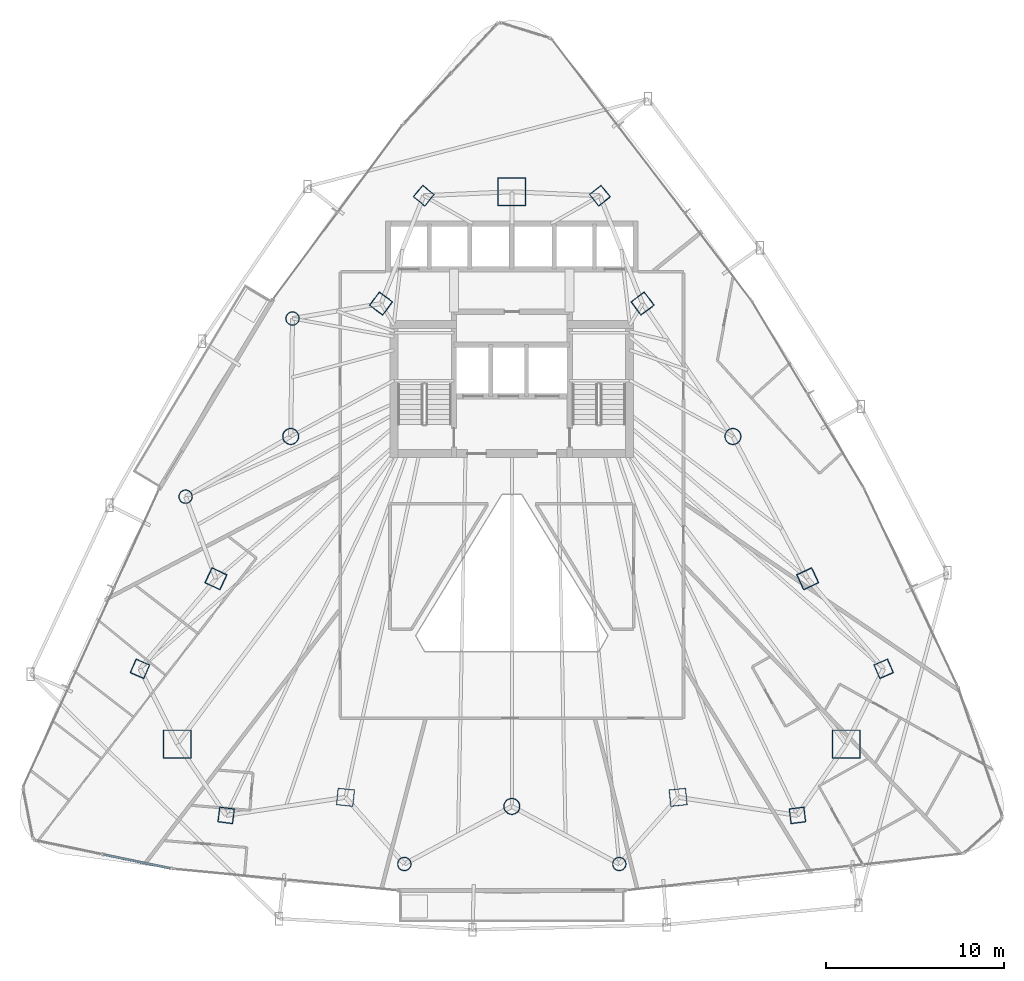
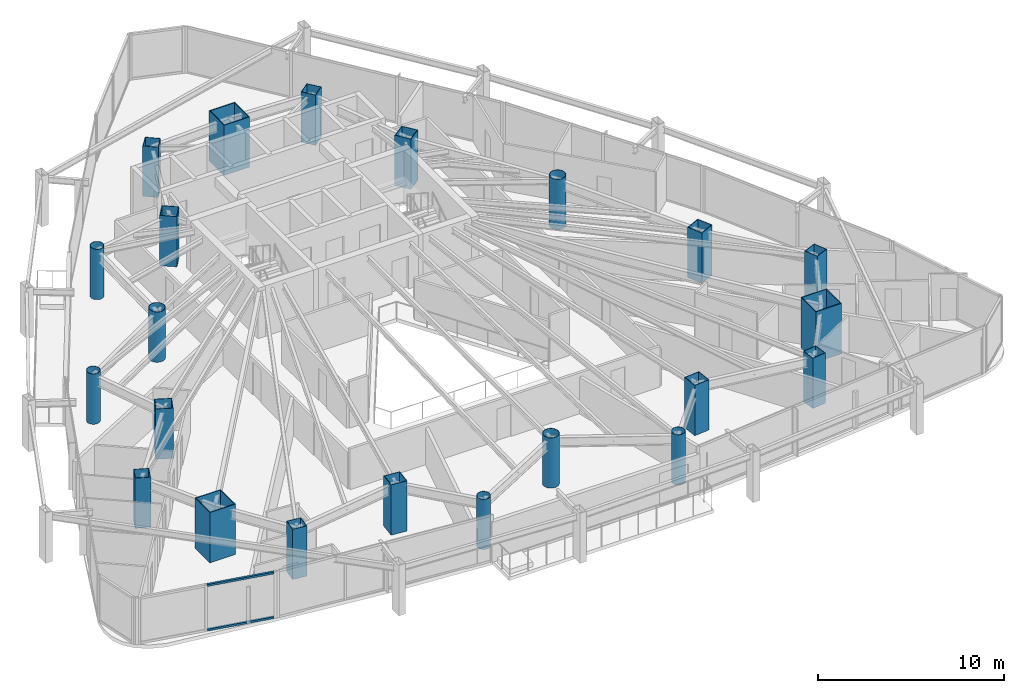
# One storey, part 1 of 34: 22 columns, 2 members, 1 element without a shape of its own.
"""IFC4 building model written with IfcOpenShell, lengths in metres."""

from ifc_helpers import new_model, si_unit, direction, frame, origin, origin_2d, place, context, subcontext, project, spatial, hollow_rectangle, hollow_circle, extrude, material, layer, layer_set, material_profile, profile_set, type_object, element, aggregate, save


model = new_model("IFC4")

# Units and contexts
model_context = context("Model", 3, precision=1e-05, world=origin(), true_north=direction((0.0, 1.0)))
body_context = subcontext(model_context, "Body", "Model", "MODEL_VIEW")
ifc_project = project(units=[si_unit("LENGTHUNIT", "METRE"), si_unit("AREAUNIT", "SQUARE_METRE"), si_unit("VOLUMEUNIT", "CUBIC_METRE"), si_unit("PLANEANGLEUNIT", "RADIAN"), si_unit("MASSUNIT", "GRAM", prefix="KILO")], contexts=[model_context])

# Site, building, storey
site_placement = place(None, origin())
site = spatial("IfcSite", under=ifc_project, at=site_placement, CompositionType="ELEMENT")
building_placement = place(site_placement, origin())
building = spatial("IfcBuilding", under=site, at=building_placement, Name="Orvanel Arch Residences", CompositionType="ELEMENT")
storey_placement = place(building_placement, frame((0.0, 0.0, 77.449951171875)))
storey = spatial("IfcBuildingStorey", under=building, at=storey_placement, Name="L21", CompositionType="ELEMENT", Elevation=77.449951171875)

# Columns
ifc_material_1 = material(Name="Structural steel AS/NZS 1163 C450L0 (Grade 450)", Category="steel")
ifc_material_profile_1 = material_profile(ifc_material_1, hollow_circle(Radius=0.381103515625, WallThickness=0.02197265625, at=origin_2d()), Name="CHS762x22")
ifc_profile_set_1 = profile_set([ifc_material_profile_1], Name="Structural steel AS/NZS 1163 C450L0 (Grade 450)")
column_type_1 = type_object("IfcColumnType", Name="CC-762", PredefinedType="COLUMN", material=ifc_profile_set_1)
for number, where, z_axis, x_axis, name in (
    (1, (20.669921875, 34.27099609375, 0.0), (0.0, 0.0, 1.0), (1.0, 0.0, 0.0), "L21 Low-Rise Buttress Tube Column 01"),
    (2, (14.662109375, 24.256103515625, 0.0), (0.0, 0.0, 1.0), (1.0, 0.0, 0.0), "L21 Low-Rise Buttress Tube Column 02"),
    (3, (26.9580078125, 3.60498046875, 0.0), (0.0, 0.0, 1.0), (1.0, 0.0, 0.0), "L21 Low-Rise Buttress Tube Column 03"),
    (4, (39.0419921875, 3.60498046875, 0.0), (0.0, 0.0, 1.0), (1.0, 0.0, 0.0), "L21 Low-Rise Buttress Tube Column 04"),
):
    element("IfcColumn", number, at=place(storey_placement, frame(where, z_axis=z_axis, x_axis=x_axis)), inside=storey, type_object=column_type_1, Name=name, PredefinedType="COLUMN", context=body_context, shape_type="SweptSolid", body=[
        extrude(hollow_circle(Radius=0.381103515625, WallThickness=0.02197265625, at=origin_2d()), origin(), (0.0, 0.0, 1.0), 3.300048828125),
    ])
ifc_material_profile_2 = material_profile(ifc_material_1, hollow_circle(Radius=0.45703125, WallThickness=0.02490234375, at=origin_2d()), Name="CHS914x25")
ifc_profile_set_2 = profile_set([ifc_material_profile_2], Name="Structural steel AS/NZS 1163 C450L0 (Grade 450)")
column_type_2 = type_object("IfcColumnType", Name="CC-914", PredefinedType="COLUMN", material=ifc_profile_set_2)
for number, where, z_axis, x_axis, name in (
    (5, (20.569091796875, 27.64111328125, 0.0), (0.0, 0.0, 1.0), (1.0, 0.0, 0.0), "L21 High-Rise Tube Column 02"),
    (6, (33.0, 6.843994140625, 0.0), (0.0, 0.0, 1.0), (1.0, 0.0, 0.0), "L21 High-Rise Tube Column 05"),
    (7, (45.430908203125, 27.64111328125, 0.0), (0.0, 0.0, 1.0), (1.0, 0.0, 0.0), "L21 High-Rise Tube Column 08"),
):
    element("IfcColumn", number, at=place(storey_placement, frame(where, z_axis=z_axis, x_axis=x_axis)), inside=storey, type_object=column_type_2, Name=name, PredefinedType="COLUMN", context=body_context, shape_type="SweptSolid", body=[
        extrude(hollow_circle(Radius=0.45703125, WallThickness=0.02490234375, at=origin_2d()), origin(), (0.0, 0.0, 1.0), 3.300048828125),
    ])
ifc_material_2 = material(Name="Structural steel AS/NZS 3678 Grade 450", Category="steel")
ifc_material_profile_3 = material_profile(ifc_material_2, hollow_rectangle(XDim=1.60009765625, YDim=1.60009765625, WallThickness=0.050048828125, at=origin_2d()), Name="BOX1600x1600x50")
ifc_profile_set_3 = profile_set([ifc_material_profile_3], Name="Structural steel AS/NZS 3678 Grade 450")
column_type_3 = type_object("IfcColumnType", Name="MC-1600", PredefinedType="COLUMN", material=ifc_profile_set_3)
for number, where, z_axis, x_axis, name in (
    (8, (33.0, 41.39794921875, 0.0), (0.0, 0.0, 1.0), (1.0, 0.0, 0.0), "L21 Corner Mega-Column 1"),
    (9, (14.198974609375, 10.35107421875, 0.0), (0.0, 0.0, 1.0), (1.0, 0.0, 0.0), "L21 Corner Mega-Column 2"),
    (10, (51.801025390625, 10.35107421875, 0.0), (0.0, 0.0, 1.0), (1.0, 0.0, 0.0), "L21 Corner Mega-Column 3"),
):
    element("IfcColumn", number, at=place(storey_placement, frame(where, z_axis=z_axis, x_axis=x_axis)), inside=storey, type_object=column_type_3, Name=name, PredefinedType="COLUMN", context=body_context, shape_type="SweptSolid", body=[
        extrude(hollow_rectangle(XDim=1.60009765625, YDim=1.60009765625, WallThickness=0.050048828125, at=origin_2d()), origin(), (0.0, 0.0, 1.0), 3.300048828125),
    ])
ifc_material_3 = material(Name="Structural steel AS/NZS 3678 Grade 350", Category="steel")
ifc_material_profile_4 = material_profile(ifc_material_3, hollow_rectangle(XDim=0.85009765625, YDim=0.85009765625, WallThickness=0.028076171875, at=origin_2d()), Name="BOX850x850x28")
ifc_profile_set_4 = profile_set([ifc_material_profile_4], Name="Structural steel AS/NZS 3678 Grade 350")
column_type_4 = type_object("IfcColumnType", Name="TC-850", PredefinedType="COLUMN", material=ifc_profile_set_4)
for number, where, z_axis, x_axis, name in (
    (11, (28.050048828125, 41.177978515625, 0.0), (0.0, 0.0, 1.0), (0.623879596709, 0.781520472419, 0.0), "L21 Mid-Rise Buttress Tube Column 01"),
    (12, (12.094970703125, 14.580078125, 0.0), (0.0, 0.0, 1.0), (0.397147890635, 0.917754625684, 0.0), "L21 Mid-Rise Buttress Tube Column 02"),
    (13, (16.94091796875, 6.339111328125, 0.0), (0.0, 0.0, 1.0), (-0.99189444259, 0.127064608601, 0.0), "L21 Mid-Rise Buttress Tube Column 03"),
    (14, (49.05908203125, 6.339111328125, 0.0), (0.0, 0.0, 1.0), (0.99189444259, 0.127064608601, 0.0), "L21 Mid-Rise Buttress Tube Column 04"),
    (15, (53.905029296875, 14.580078125, 0.0), (0.0, 0.0, 1.0), (-0.397147890635, 0.917754625684, 0.0), "L21 Mid-Rise Buttress Tube Column 05"),
    (16, (37.949951171875, 41.177978515625, 0.0), (0.0, 0.0, 1.0), (-0.623879596709, 0.781520472419, 0.0), "L21 Mid-Rise Buttress Tube Column 06"),
):
    element("IfcColumn", number, at=place(storey_placement, frame(where, z_axis=z_axis, x_axis=x_axis)), inside=storey, type_object=column_type_4, Name=name, PredefinedType="COLUMN", context=body_context, shape_type="SweptSolid", body=[
        extrude(hollow_rectangle(XDim=0.85009765625, YDim=0.85009765625, WallThickness=0.028076171875, at=origin_2d()), origin(), (0.0, 0.0, 1.0), 3.300048828125),
    ])
ifc_material_profile_5 = material_profile(ifc_material_3, hollow_rectangle(XDim=0.949951171875, YDim=0.949951171875, WallThickness=0.031982421875, at=origin_2d()), Name="BOX950x950x32")
ifc_profile_set_5 = profile_set([ifc_material_profile_5], Name="Structural steel AS/NZS 3678 Grade 350")
column_type_5 = type_object("IfcColumnType", Name="TC-950", PredefinedType="COLUMN", material=ifc_profile_set_5)
for number, where, z_axis, x_axis, name in (
    (17, (25.64794921875, 35.113037109375, 0.0), (0.0, 0.0, 1.0), (0.600420225326, 0.799684658487, 0.0), "L21 High-Rise Tube Column 01"),
    (18, (16.366943359375, 19.64208984375, 0.0), (0.0, 0.0, 1.0), (0.422618261741, 0.906307787037, 0.0), "L21 High-Rise Tube Column 03"),
    (19, (23.64892578125, 7.35498046875, 0.0), (0.0, 0.0, 1.0), (-0.994880708829, 0.101056297183, 0.0), "L21 High-Rise Tube Column 04"),
    (20, (42.35107421875, 7.35498046875, 0.0), (0.0, 0.0, 1.0), (0.994880708829, 0.101056297183, 0.0), "L21 High-Rise Tube Column 06"),
    (21, (49.633056640625, 19.64208984375, 0.0), (0.0, 0.0, 1.0), (-0.422618261741, 0.906307787037, 0.0), "L21 High-Rise Tube Column 07"),
    (22, (40.35205078125, 35.113037109375, 0.0), (0.0, 0.0, 1.0), (-0.600420225326, 0.799684658487, 0.0), "L21 High-Rise Tube Column 09"),
):
    element("IfcColumn", number, at=place(storey_placement, frame(where, z_axis=z_axis, x_axis=x_axis)), inside=storey, type_object=column_type_5, Name=name, PredefinedType="COLUMN", context=body_context, shape_type="SweptSolid", body=[
        extrude(hollow_rectangle(XDim=0.949951171875, YDim=0.949951171875, WallThickness=0.031982421875, at=origin_2d()), origin(), (0.0, 0.0, 1.0), 3.300048828125),
    ])

# Curtain wall, members
ifc_material_4 = material(Name="Bronze-anodised aluminium AA6063-T6", Category="aluminium")
ifc_layer = layer(ifc_material_4, 0.18994140625)
ifc_layer_set = layer_set([ifc_layer], Name="Bronze-anodised aluminium AA6063-T6")
curtain_wall_type = type_object("IfcCurtainWallType", Name="CW5-CRN-SYS", PredefinedType="NOTDEFINED", material=ifc_layer_set)
curtain_wall_placement = place(storey_placement, origin())
curtain_wall = element("IfcCurtainWall", 23, at=curtain_wall_placement, inside=storey, type_object=curtain_wall_type, Name="L21 CW5-CRN-SYS Unitised Curtain Wall", PredefinedType="NOTDEFINED")
ifc_material_profile_6 = material_profile(ifc_material_4, hollow_rectangle(XDim=0.1298828125, YDim=0.1298828125, WallThickness=0.00439453125, at=origin_2d()), Name="ALU130x130x4.5")
ifc_profile_set_6 = profile_set([ifc_material_profile_6], Name="Bronze-anodised aluminium AA6063-T6")
member_type = type_object("IfcMemberType", Name="TRN-130x130", PredefinedType="USERDEFINED", material=ifc_profile_set_6)
member_1_placement = place(storey_placement, frame((10.099365234375, 4.130859375, 0.06494140625), z_axis=(0.979114380147, -0.20331018319, 0.0), x_axis=(0.20331018319, 0.979114380147, 0.0)))
member_1 = element("IfcMember", 24, at=member_1_placement, type_object=member_type, Name="CW-S5 transom 2.1", ObjectType="TRANSOM", PredefinedType="USERDEFINED", context=body_context, shape_type="SweptSolid", body=[
    extrude(hollow_rectangle(XDim=0.1298828125, YDim=0.1298828125, WallThickness=0.00439453125, at=origin_2d()), origin(), (0.0, 0.0, 1.0), 3.769287109375),
])
member_2_placement = place(storey_placement, frame((10.099365234375, 4.130859375, 2.9951171875), z_axis=(0.979114380147, -0.20331018319, 0.0), x_axis=(0.20331018319, 0.979114380147, 0.0)))
member_2 = element("IfcMember", 25, at=member_2_placement, type_object=member_type, Name="CW-S5 transom 2.2", ObjectType="TRANSOM", PredefinedType="USERDEFINED", context=body_context, shape_type="SweptSolid", body=[
    extrude(hollow_rectangle(XDim=0.1298828125, YDim=0.1298828125, WallThickness=0.00439453125, at=origin_2d()), origin(), (0.0, 0.0, 1.0), 3.769287109375),
])
aggregate(curtain_wall, [member_1, member_2])

save(model, "model.ifc")
